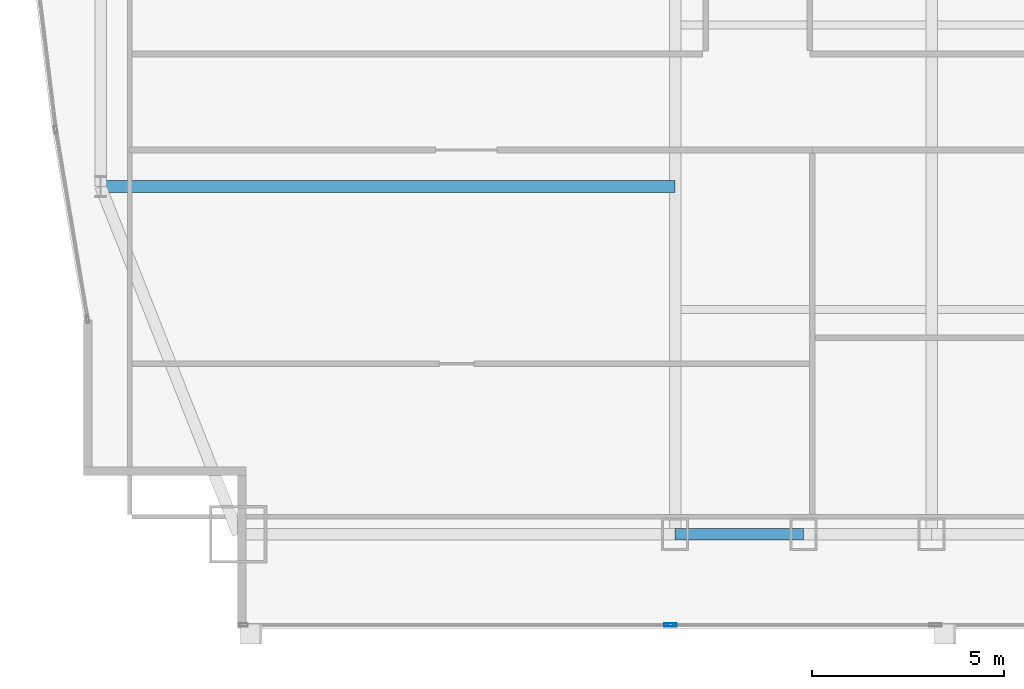
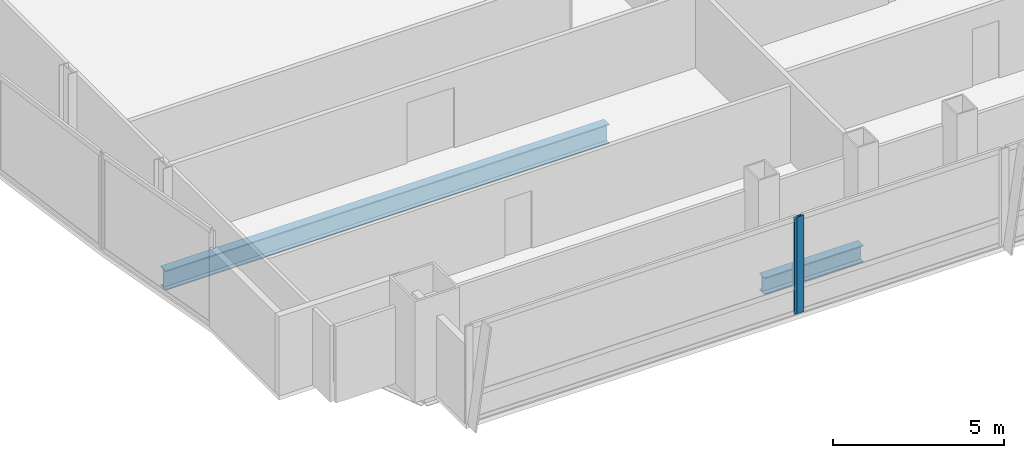
# One storey, part 7 of 31: 2 beams, 2 members, 2 elements without a shape of their own.
"""IFC4 building model written with IfcOpenShell, lengths in metres."""

from ifc_helpers import new_model, si_unit, direction, frame, origin, origin_2d, place, context, subcontext, project, spatial, hollow_rectangle, i_section, extrude, material, material_profile, profile_set, type_object, element, aggregate, save


model = new_model("IFC4")

# Units and contexts
model_context = context("Model", 3, precision=1e-05, world=origin(), true_north=direction((0.0, 1.0)))
body_context = subcontext(model_context, "Body", "Model", "MODEL_VIEW")
ifc_project = project(units=[si_unit("LENGTHUNIT", "METRE"), si_unit("AREAUNIT", "SQUARE_METRE"), si_unit("VOLUMEUNIT", "CUBIC_METRE"), si_unit("PLANEANGLEUNIT", "RADIAN"), si_unit("MASSUNIT", "GRAM", prefix="KILO")], contexts=[model_context])

# Site, building, storey
site_placement = place(None, origin())
site = spatial("IfcSite", under=ifc_project, at=site_placement, CompositionType="ELEMENT")
building_placement = place(site_placement, origin())
building = spatial("IfcBuilding", under=site, at=building_placement, Name="Khoronbel Lancet Exchange", CompositionType="ELEMENT")
storey_placement = place(building_placement, frame((0.0, 0.0, 121.800048828125)))
storey = spatial("IfcBuildingStorey", under=building, at=storey_placement, Name="L29", CompositionType="ELEMENT", Elevation=121.800048828125)

# Beams
ifc_material_1 = material(Name="Steel S355", Category="steel")
ifc_material_profile_1 = material_profile(ifc_material_1, i_section(OverallWidth=0.300048828125, OverallDepth=0.699951171875, WebThickness=0.01708984375, FlangeThickness=0.031982421875, at=origin_2d()), Name="HEB 700")
ifc_profile_set_1 = profile_set([ifc_material_profile_1], Name="Steel S355")
beam_type_1 = type_object("IfcBeamType", Name="BM-BG3", PredefinedType="BEAM", material=ifc_profile_set_1)
beam_1_placement = place(storey_placement, frame((3.27001953125, 19.199951171875, -0.510009765625), z_axis=(1.0, 0.0, 0.0), x_axis=(0.0, 1.0, 0.0)))
element("IfcBeam", 1, at=beam_1_placement, inside=storey, type_object=beam_type_1, Name="Level L29 west lens tie girder LG1W", PredefinedType="BEAM", context=body_context, shape_type="SweptSolid", body=[
    extrude(i_section(OverallWidth=0.300048828125, OverallDepth=0.699951171875, WebThickness=0.01708984375, FlangeThickness=0.031982421875, at=origin_2d()), origin(), (0.0, 0.0, 1.0), 14.955078125),
])
ifc_material_profile_2 = material_profile(ifc_material_1, i_section(OverallWidth=0.300048828125, OverallDepth=0.60009765625, WebThickness=0.015380859375, FlangeThickness=0.030029296875, at=origin_2d()), Name="HEB 600")
ifc_profile_set_2 = profile_set([ifc_material_profile_2], Name="Steel S355")
beam_type_2 = type_object("IfcBeamType", Name="BM-BSP2", PredefinedType="SPANDREL", material=ifc_profile_set_2)
beam_2_placement = place(storey_placement, frame((18.22509765625, 10.14990234375, -0.4599609375), z_axis=(1.0, 0.0, 0.0), x_axis=(0.0, 1.0, 0.0)))
element("IfcBeam", 2, at=beam_2_placement, inside=storey, type_object=beam_type_2, Name="Level L29 perimeter spandrel beam SP02", PredefinedType="SPANDREL", context=body_context, shape_type="SweptSolid", body=[
    extrude(i_section(OverallWidth=0.300048828125, OverallDepth=0.60009765625, WebThickness=0.015380859375, FlangeThickness=0.030029296875, at=origin_2d()), origin(), (0.0, 0.0, 1.0), 3.33740234375),
])

# Curtain wall, member
ifc_material_2 = material(Name="Low-E Solar Control Insulating Glass", Category="glass")
curtain_wall_type = type_object("IfcCurtainWallType", Name="CW-2", PredefinedType="NOTDEFINED", material=ifc_material_2)
curtain_wall_1_placement = place(storey_placement, origin())
curtain_wall_1 = element("IfcCurtainWall", 3, at=curtain_wall_1_placement, inside=storey, type_object=curtain_wall_type, Name="Unitised curtain wall CW-L29-SWV", PredefinedType="NOTDEFINED")
ifc_material_3 = material(Name="Bronze-Anodised Aluminium 6063-T6", Category="aluminium")
ifc_material_profile_3 = material_profile(ifc_material_3, hollow_rectangle(XDim=0.0849609375, YDim=0.239990234375, WallThickness=0.006103515625, at=origin_2d()), Name="ALU MULLION 85x240")
ifc_profile_set_3 = profile_set([ifc_material_profile_3], Name="Bronze-Anodised Aluminium 6063-T6")
member_type = type_object("IfcMemberType", Name="MEM-CWM1", PredefinedType="MULLION", material=ifc_profile_set_3)
member_1_placement = place(storey_placement, frame((18.0576171875, 7.7900390625, 0.0), z_axis=(0.0, 0.0, 1.0), x_axis=(0.0, 1.0, 0.0)))
member_1 = element("IfcMember", 4, at=member_1_placement, type_object=member_type, Name="CW2 mullion 2", PredefinedType="MULLION", context=body_context, shape_type="SweptSolid", body=[
    extrude(hollow_rectangle(XDim=0.0849609375, YDim=0.239990234375, WallThickness=0.006103515625, at=origin_2d()), origin(), (0.0, 0.0, 1.0), 3.43994140625),
])
aggregate(curtain_wall_1, [member_1])

curtain_wall_2_placement = place(storey_placement, origin())
curtain_wall_2 = element("IfcCurtainWall", 5, at=curtain_wall_2_placement, inside=storey, type_object=curtain_wall_type, Name="Unitised curtain wall CW-L29-SWB", PredefinedType="NOTDEFINED")
member_2_placement = place(storey_placement, frame((18.142578125, 7.7900390625, 0.0), z_axis=(0.0, 0.0, 1.0), x_axis=(0.0, 1.0, 0.0)))
member_2 = element("IfcMember", 6, at=member_2_placement, type_object=member_type, Name="CW2 mullion 1", PredefinedType="MULLION", context=body_context, shape_type="SweptSolid", body=[
    extrude(hollow_rectangle(XDim=0.0849609375, YDim=0.239990234375, WallThickness=0.006103515625, at=origin_2d()), origin(), (0.0, 0.0, 1.0), 3.43994140625),
])
aggregate(curtain_wall_2, [member_2])

save(model, "model.ifc")
